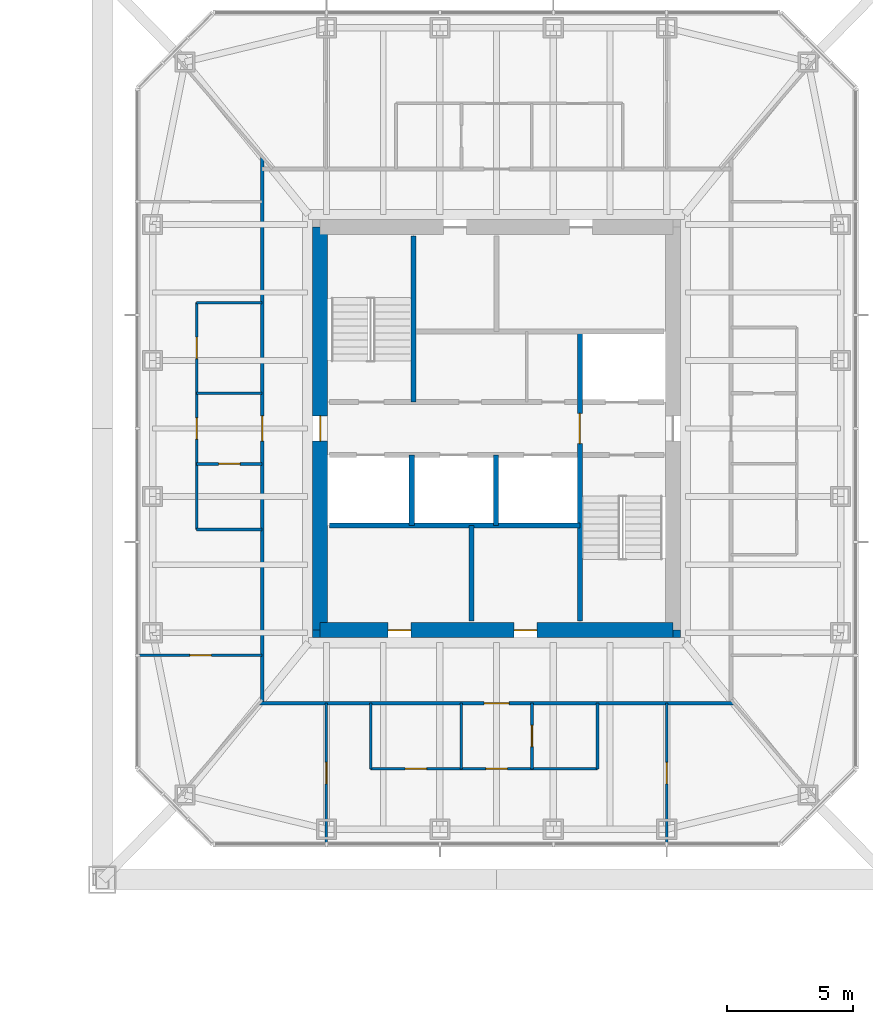
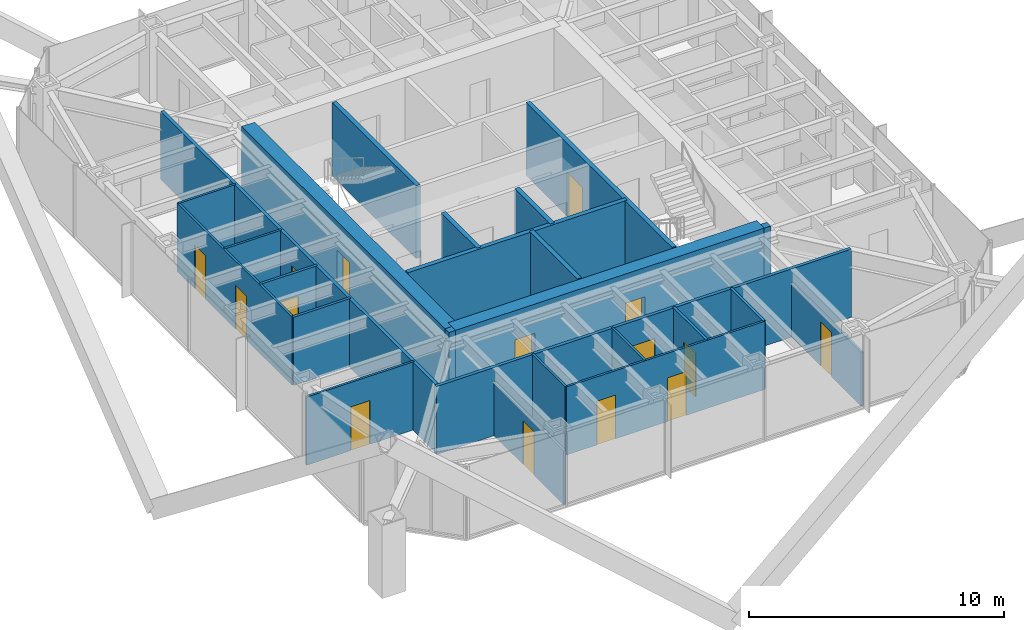
# One storey, part 15 of 23: 25 walls, 15 doors, 15 openings.
"""IFC4 building model written with IfcOpenShell, lengths in metres."""

from ifc_helpers import new_model, si_unit, direction, frame, frame_2d, origin, place, context, subcontext, project, spatial, rectangle, extrude, material, layer, layer_set, type_object, element, fill, save


model = new_model("IFC4")

# Units and contexts
model_context = context("Model", 3, precision=1e-05, world=origin(), true_north=direction((0.0, 1.0)))
body_context = subcontext(model_context, "Body", "Model", "MODEL_VIEW")
ifc_project = project(units=[si_unit("LENGTHUNIT", "METRE"), si_unit("AREAUNIT", "SQUARE_METRE"), si_unit("VOLUMEUNIT", "CUBIC_METRE"), si_unit("PLANEANGLEUNIT", "RADIAN"), si_unit("MASSUNIT", "GRAM", prefix="KILO")], contexts=[model_context])

# Site, building, storey
site_placement = place(None, origin())
site = spatial("IfcSite", under=ifc_project, at=site_placement, CompositionType="ELEMENT")
building_placement = place(site_placement, origin())
building = spatial("IfcBuilding", under=site, at=building_placement, Name="Iwan Alto Co-Living Towers", CompositionType="ELEMENT")
storey_placement = place(building_placement, frame((0.0, 0.0, 122.5)))
storey = spatial("IfcBuildingStorey", under=building, at=storey_placement, Name="L33", CompositionType="ELEMENT", Elevation=122.5)

# Wall, opening, door
ifc_material_1 = material(Name="Gypsum board")
ifc_layer_1 = layer(ifc_material_1, 0.02490234375, Name="Board", Category="Finish")
ifc_material_2 = material(Name="Steel ASTM A1003 ST33H cold-formed studs", Category="steel")
ifc_layer_2 = layer(ifc_material_2, 0.10009765625, Name="Studs", Category="Framing")
ifc_layer_3 = layer(ifc_material_1, 0.02490234375, Name="Board", Category="Finish")
ifc_layer_set_1 = layer_set([ifc_layer_1, ifc_layer_2, ifc_layer_3], Name="CORRIDOR WALL 150")
wall_type_1 = type_object("IfcWallType", Name="CORRIDOR WALL 150", PredefinedType="PARTITIONING", material=ifc_layer_set_1)
wall_1_placement = place(storey_placement, frame((53.5859375, -10.89990234375, 0.0), z_axis=(0.0, 0.0, 1.0), x_axis=(1.0, 0.0, 0.0)))
wall_1 = element("IfcWall", 1, at=wall_1_placement, inside=storey, type_object=wall_type_1, Name="Partition L33", PredefinedType="PARTITIONING", context=body_context, shape_type="SweptSolid", body=[
    extrude(rectangle(XDim=18.828125, YDim=0.14990234375, at=frame_2d((9.4140625, 0.0))), origin(), (0.0, 0.0, 1.0), 3.27001953125),
])
opening_1_placement = place(wall_1_placement, frame((8.9140625, 0.0, 0.0)))
opening_1 = element("IfcOpeningElement", 2, at=opening_1_placement, cuts=wall_1, Name="Opening D3", PredefinedType="OPENING", context=body_context, shape_type="SweptSolid", body=[
    extrude(rectangle(XDim=1.0, YDim=2.10009765625, at=frame_2d((0.5, 1.050048828125))), frame((0.0, 0.0849609375, 0.0), z_axis=(0.0, -1.0, 0.0), x_axis=(1.0, 0.0, 0.0)), (0.0, 0.0, 1.0), 0.169921875),
])
ifc_material_3 = material(Name="Steel frame with timber leaf", Category="steel")
door_type_1 = type_object("IfcDoorType", Name="FLAT ENTRANCE DOOR FD30S 1000X2100", OperationType="SINGLE_SWING_LEFT", PredefinedType="DOOR", material=ifc_material_3)
door_1_placement = place(opening_1_placement, frame((1.0, 0.0, 0.0), z_axis=(0.0, 0.0, 1.0), x_axis=(-1.0, 0.0, 0.0)))
door_1 = element("IfcDoor", 3, at=door_1_placement, inside=storey, type_object=door_type_1, Name="Apartment foyer door L33", OperationType="SINGLE_SWING_RIGHT", OverallHeight=2.10009765625, OverallWidth=1.0, PredefinedType="DOOR", context=body_context, shape_type="SweptSolid", body=[
    extrude(rectangle(XDim=1.0, YDim=2.10009765625, at=frame_2d((0.5, 1.050048828125))), frame((0.0, 0.02490234375, 0.0), z_axis=(0.0, -1.0, 0.0), x_axis=(1.0, 0.0, 0.0)), (0.0, 0.0, 1.0), 0.050048828125),
])
fill(opening_1, door_1)

wall_2_placement = place(storey_placement, frame((53.699951171875, -10.89990234375, 0.0), z_axis=(0.0, 0.0, 1.0), x_axis=(0.0, 1.0, 0.0)))
wall_2 = element("IfcWall", 4, at=wall_2_placement, inside=storey, type_object=wall_type_1, Name="Partition L33", PredefinedType="PARTITIONING", context=body_context, shape_type="SweptSolid", body=[
    extrude(rectangle(XDim=21.66796875, YDim=0.14990234375, at=frame_2d((10.833984375, 0.0))), origin(), (0.0, 0.0, 1.0), 3.27001953125),
])
opening_2_placement = place(wall_2_placement, frame((10.39990234375, 0.0, 0.0)))
opening_2 = element("IfcOpeningElement", 5, at=opening_2_placement, cuts=wall_2, Name="Opening D3", PredefinedType="OPENING", context=body_context, shape_type="SweptSolid", body=[
    extrude(rectangle(XDim=1.0, YDim=2.10009765625, at=frame_2d((0.5, 1.050048828125))), frame((0.0, 0.0849609375, 0.0), z_axis=(0.0, -1.0, 0.0), x_axis=(1.0, 0.0, 0.0)), (0.0, 0.0, 1.0), 0.169921875),
])
door_2_placement = place(opening_2_placement, origin())
door_2 = element("IfcDoor", 6, at=door_2_placement, inside=storey, type_object=door_type_1, Name="Apartment foyer door L33", OperationType="SINGLE_SWING_LEFT", OverallHeight=2.10009765625, OverallWidth=1.0, PredefinedType="DOOR", context=body_context, shape_type="SweptSolid", body=[
    extrude(rectangle(XDim=1.0, YDim=2.10009765625, at=frame_2d((0.5, 1.050048828125))), frame((0.0, 0.02490234375, 0.0), z_axis=(0.0, -1.0, 0.0), x_axis=(1.0, 0.0, 0.0)), (0.0, 0.0, 1.0), 0.050048828125),
])
fill(opening_2, door_2)

# Wall, openings, doors
ifc_layer_4 = layer(ifc_material_1, 0.012451171875, Name="Board", Category="Finish")
ifc_layer_5 = layer(ifc_material_2, 0.074951171875, Name="Studs", Category="Framing")
ifc_layer_6 = layer(ifc_material_1, 0.012451171875, Name="Board", Category="Finish")
ifc_layer_set_2 = layer_set([ifc_layer_4, ifc_layer_5, ifc_layer_6], Name="PARTITION 100")
wall_type_2 = type_object("IfcWallType", Name="PARTITION 100", PredefinedType="PARTITIONING", material=ifc_layer_set_2)
wall_3_placement = place(storey_placement, frame((58.0, -13.5, 0.0), z_axis=(0.0, 0.0, 1.0), x_axis=(1.0, 0.0, 0.0)))
wall_3 = element("IfcWall", 7, at=wall_3_placement, inside=storey, type_object=wall_type_2, Name="Partition L33", PredefinedType="PARTITIONING", context=body_context, shape_type="SweptSolid", body=[
    extrude(rectangle(XDim=9.0, YDim=0.10009765625, at=frame_2d((4.5, 0.0))), origin(), (0.0, 0.0, 1.0), 3.27001953125),
])
opening_3_placement = place(wall_3_placement, frame((1.375, 0.0, 0.0)))
opening_3 = element("IfcOpeningElement", 8, at=opening_3_placement, cuts=wall_3, Name="Opening D2", PredefinedType="OPENING", context=body_context, shape_type="SweptSolid", body=[
    extrude(rectangle(XDim=0.85009765625, YDim=2.10009765625, at=frame_2d((0.425048828125, 1.050048828125))), frame((0.0, 0.06005859375, 0.0), z_axis=(0.0, -1.0, 0.0), x_axis=(1.0, 0.0, 0.0)), (0.0, 0.0, 1.0), 0.1201171875),
])
opening_4_placement = place(wall_3_placement, frame((4.574951171875, 0.0, 0.0)))
opening_4 = element("IfcOpeningElement", 9, at=opening_4_placement, cuts=wall_3, Name="Opening D2", PredefinedType="OPENING", context=body_context, shape_type="SweptSolid", body=[
    extrude(rectangle(XDim=0.85009765625, YDim=2.10009765625, at=frame_2d((0.425048828125, 1.050048828125))), frame((0.0, 0.06005859375, 0.0), z_axis=(0.0, -1.0, 0.0), x_axis=(1.0, 0.0, 0.0)), (0.0, 0.0, 1.0), 0.1201171875),
])
ifc_material_4 = material(Name="Timber leaf in steel frame", Category="steel")
door_type_2 = type_object("IfcDoorType", Name="ROOM DOOR 850X2100", OperationType="SINGLE_SWING_LEFT", PredefinedType="DOOR", material=ifc_material_4)
door_3_placement = place(opening_3_placement, frame((0.85009765625, 0.0, 0.0), z_axis=(0.0, 0.0, 1.0), x_axis=(-1.0, 0.0, 0.0)))
door_3 = element("IfcDoor", 10, at=door_3_placement, inside=storey, type_object=door_type_2, Name="Kitchen door L33", OperationType="SINGLE_SWING_RIGHT", OverallHeight=2.10009765625, OverallWidth=0.85009765625, PredefinedType="DOOR", context=body_context, shape_type="SweptSolid", body=[
    extrude(rectangle(XDim=0.85009765625, YDim=2.10009765625, at=frame_2d((0.425048828125, 1.050048828125))), frame((0.0, 0.02490234375, 0.0), z_axis=(0.0, -1.0, 0.0), x_axis=(1.0, 0.0, 0.0)), (0.0, 0.0, 1.0), 0.050048828125),
])
fill(opening_3, door_3)
door_4_placement = place(opening_4_placement, frame((0.85009765625, 0.0, 0.0), z_axis=(0.0, 0.0, 1.0), x_axis=(-1.0, 0.0, 0.0)))
door_4 = element("IfcDoor", 11, at=door_4_placement, inside=storey, type_object=door_type_2, Name="Apartment foyer door L33", OperationType="SINGLE_SWING_RIGHT", OverallHeight=2.10009765625, OverallWidth=0.85009765625, PredefinedType="DOOR", context=body_context, shape_type="SweptSolid", body=[
    extrude(rectangle(XDim=0.85009765625, YDim=2.10009765625, at=frame_2d((0.425048828125, 1.050048828125))), frame((0.0, 0.02490234375, 0.0), z_axis=(0.0, -1.0, 0.0), x_axis=(1.0, 0.0, 0.0)), (0.0, 0.0, 1.0), 0.050048828125),
])
fill(opening_4, door_4)

# Wall, opening, door
wall_4_placement = place(storey_placement, frame((48.81005859375, -9.0, 0.0), z_axis=(0.0, 0.0, 1.0), x_axis=(1.0, 0.0, 0.0)))
wall_4 = element("IfcWall", 12, at=wall_4_placement, inside=storey, type_object=wall_type_2, Name="Partition L33", PredefinedType="PARTITIONING", context=body_context, shape_type="SweptSolid", body=[
    extrude(rectangle(XDim=4.889892578125, YDim=0.10009765625, at=frame_2d((2.44482421875, 0.0))), origin(), (0.0, 0.0, 1.0), 3.27001953125),
])
opening_5_placement = place(wall_4_placement, frame((2.02001953125, 0.0, 0.0)))
opening_5 = element("IfcOpeningElement", 13, at=opening_5_placement, cuts=wall_4, Name="Opening D2", PredefinedType="OPENING", context=body_context, shape_type="SweptSolid", body=[
    extrude(rectangle(XDim=0.85009765625, YDim=2.10009765625, at=frame_2d((0.425048828125, 1.050048828125))), frame((0.0, 0.06005859375, 0.0), z_axis=(0.0, -1.0, 0.0), x_axis=(1.0, 0.0, 0.0)), (0.0, 0.0, 1.0), 0.1201171875),
])
door_5_placement = place(opening_5_placement, origin())
door_5 = element("IfcDoor", 14, at=door_5_placement, inside=storey, type_object=door_type_2, Name="Study door L33", OperationType="SINGLE_SWING_RIGHT", OverallHeight=2.10009765625, OverallWidth=0.85009765625, PredefinedType="DOOR", context=body_context, shape_type="SweptSolid", body=[
    extrude(rectangle(XDim=0.85009765625, YDim=2.10009765625, at=frame_2d((0.425048828125, 1.050048828125))), frame((0.0, 0.02490234375, 0.0), z_axis=(0.0, -1.0, 0.0), x_axis=(1.0, 0.0, 0.0)), (0.0, 0.0, 1.0), 0.050048828125),
])
fill(opening_5, door_5)

# Walls
for number, where, z_axis, x_axis, name in (
    (15, (51.10009765625, 1.39990234375, 0.0), (0.0, 0.0, 1.0), (1.0, 0.0, 0.0), "Partition L33"),
    (16, (51.10009765625, 5.0, 0.0), (0.0, 0.0, 1.0), (1.0, 0.0, 0.0), "Partition L33"),
):
    element("IfcWall", number, at=place(storey_placement, frame(where, z_axis=z_axis, x_axis=x_axis)), inside=storey, type_object=wall_type_2, Name=name, PredefinedType="PARTITIONING", context=body_context, shape_type="SweptSolid", body=[
        extrude(rectangle(XDim=2.599853515625, YDim=0.10009765625, at=frame_2d((1.2998046875, 0.0))), origin(), (0.0, 0.0, 1.0), 3.27001953125),
    ])

# Wall, opening, door
wall_5_placement = place(storey_placement, frame((69.75, -16.43994140625, 0.0), z_axis=(0.0, 0.0, 1.0), x_axis=(0.0, 1.0, 0.0)))
wall_5 = element("IfcWall", 17, at=wall_5_placement, inside=storey, type_object=wall_type_2, Name="Partition L33", PredefinedType="PARTITIONING", context=body_context, shape_type="SweptSolid", body=[
    extrude(rectangle(XDim=5.5400390625, YDim=0.10009765625, at=frame_2d((2.77001953125, 0.0))), origin(), (0.0, 0.0, 1.0), 2.586669921875),
])
opening_6_placement = place(wall_5_placement, frame((2.344970703125, 0.0, 0.0)))
opening_6 = element("IfcOpeningElement", 18, at=opening_6_placement, cuts=wall_5, Name="Opening D2", PredefinedType="OPENING", context=body_context, shape_type="SweptSolid", body=[
    extrude(rectangle(XDim=0.85009765625, YDim=2.10009765625, at=frame_2d((0.425048828125, 1.050048828125))), frame((0.0, 0.06005859375, 0.0), z_axis=(0.0, -1.0, 0.0), x_axis=(1.0, 0.0, 0.0)), (0.0, 0.0, 1.0), 0.1201171875),
])
door_6_placement = place(opening_6_placement, origin())
door_6 = element("IfcDoor", 19, at=door_6_placement, inside=storey, type_object=door_type_2, Name="Bedroom door L33", OperationType="SINGLE_SWING_RIGHT", OverallHeight=2.10009765625, OverallWidth=0.85009765625, PredefinedType="DOOR", context=body_context, shape_type="SweptSolid", body=[
    extrude(rectangle(XDim=0.85009765625, YDim=2.10009765625, at=frame_2d((0.425048828125, 1.050048828125))), frame((0.0, 0.02490234375, 0.0), z_axis=(0.0, -1.0, 0.0), x_axis=(1.0, 0.0, 0.0)), (0.0, 0.0, 1.0), 0.050048828125),
])
fill(opening_6, door_6)

# Walls
for number, where, z_axis, x_axis, name in (
    (20, (61.60009765625, -13.5, 0.0), (0.0, 0.0, 1.0), (0.0, 1.0, 0.0), "Partition L33"),
    (21, (58.0, -13.5, 0.0), (0.0, 0.0, 1.0), (0.0, 1.0, 0.0), "Partition L33"),
):
    element("IfcWall", number, at=place(storey_placement, frame(where, z_axis=z_axis, x_axis=x_axis)), inside=storey, type_object=wall_type_2, Name=name, PredefinedType="PARTITIONING", context=body_context, shape_type="SweptSolid", body=[
        extrude(rectangle(XDim=2.60009765625, YDim=0.10009765625, at=frame_2d((1.300048828125, 0.0))), origin(), (0.0, 0.0, 1.0), 3.27001953125),
    ])

# Wall, opening, door
wall_6_placement = place(storey_placement, frame((56.25, -16.43994140625, 0.0), z_axis=(0.0, 0.0, 1.0), x_axis=(0.0, 1.0, 0.0)))
wall_6 = element("IfcWall", 22, at=wall_6_placement, inside=storey, type_object=wall_type_2, Name="Partition L33", PredefinedType="PARTITIONING", context=body_context, shape_type="SweptSolid", body=[
    extrude(rectangle(XDim=5.5400390625, YDim=0.10009765625, at=frame_2d((2.77001953125, 0.0))), origin(), (0.0, 0.0, 1.0), 2.586669921875),
])
opening_7_placement = place(wall_6_placement, frame((2.344970703125, 0.0, 0.0)))
opening_7 = element("IfcOpeningElement", 23, at=opening_7_placement, cuts=wall_6, Name="Opening D2", PredefinedType="OPENING", context=body_context, shape_type="SweptSolid", body=[
    extrude(rectangle(XDim=0.85009765625, YDim=2.10009765625, at=frame_2d((0.425048828125, 1.050048828125))), frame((0.0, 0.06005859375, 0.0), z_axis=(0.0, -1.0, 0.0), x_axis=(1.0, 0.0, 0.0)), (0.0, 0.0, 1.0), 0.1201171875),
])
door_7_placement = place(opening_7_placement, frame((0.85009765625, 0.0, 0.0), z_axis=(0.0, 0.0, 1.0), x_axis=(-1.0, 0.0, 0.0)))
door_7 = element("IfcDoor", 24, at=door_7_placement, inside=storey, type_object=door_type_2, Name="Family room door L33", OperationType="SINGLE_SWING_LEFT", OverallHeight=2.10009765625, OverallWidth=0.85009765625, PredefinedType="DOOR", context=body_context, shape_type="SweptSolid", body=[
    extrude(rectangle(XDim=0.85009765625, YDim=2.10009765625, at=frame_2d((0.425048828125, 1.050048828125))), frame((0.0, 0.02490234375, 0.0), z_axis=(0.0, -1.0, 0.0), x_axis=(1.0, 0.0, 0.0)), (0.0, 0.0, 1.0), 0.050048828125),
])
fill(opening_7, door_7)

# Wall, openings, doors
wall_7_placement = place(storey_placement, frame((51.10009765625, -4.0, 0.0), z_axis=(0.0, 0.0, 1.0), x_axis=(0.0, 1.0, 0.0)))
wall_7 = element("IfcWall", 25, at=wall_7_placement, inside=storey, type_object=wall_type_2, Name="Partition L33", PredefinedType="PARTITIONING", context=body_context, shape_type="SweptSolid", body=[
    extrude(rectangle(XDim=9.0, YDim=0.10009765625, at=frame_2d((4.5, 0.0))), origin(), (0.0, 0.0, 1.0), 3.27001953125),
])
opening_8_placement = place(wall_7_placement, frame((6.77490234375, 0.0, 0.0)))
opening_8 = element("IfcOpeningElement", 26, at=opening_8_placement, cuts=wall_7, Name="Opening D2", PredefinedType="OPENING", context=body_context, shape_type="SweptSolid", body=[
    extrude(rectangle(XDim=0.85009765625, YDim=2.10009765625, at=frame_2d((0.425048828125, 1.050048828125))), frame((0.0, 0.06005859375, 0.0), z_axis=(0.0, -1.0, 0.0), x_axis=(1.0, 0.0, 0.0)), (0.0, 0.0, 1.0), 0.1201171875),
])
opening_9_placement = place(wall_7_placement, frame((3.574951171875, 0.0, 0.0)))
opening_9 = element("IfcOpeningElement", 27, at=opening_9_placement, cuts=wall_7, Name="Opening D2", PredefinedType="OPENING", context=body_context, shape_type="SweptSolid", body=[
    extrude(rectangle(XDim=0.85009765625, YDim=2.10009765625, at=frame_2d((0.425048828125, 1.050048828125))), frame((0.0, 0.06005859375, 0.0), z_axis=(0.0, -1.0, 0.0), x_axis=(1.0, 0.0, 0.0)), (0.0, 0.0, 1.0), 0.1201171875),
])
door_8_placement = place(opening_8_placement, origin())
door_8 = element("IfcDoor", 28, at=door_8_placement, inside=storey, type_object=door_type_2, Name="Kitchen door L33", OperationType="SINGLE_SWING_RIGHT", OverallHeight=2.10009765625, OverallWidth=0.85009765625, PredefinedType="DOOR", context=body_context, shape_type="SweptSolid", body=[
    extrude(rectangle(XDim=0.85009765625, YDim=2.10009765625, at=frame_2d((0.425048828125, 1.050048828125))), frame((0.0, 0.02490234375, 0.0), z_axis=(0.0, -1.0, 0.0), x_axis=(1.0, 0.0, 0.0)), (0.0, 0.0, 1.0), 0.050048828125),
])
fill(opening_8, door_8)
door_9_placement = place(opening_9_placement, origin())
door_9 = element("IfcDoor", 29, at=door_9_placement, inside=storey, type_object=door_type_2, Name="Apartment foyer door L33", OperationType="SINGLE_SWING_LEFT", OverallHeight=2.10009765625, OverallWidth=0.85009765625, PredefinedType="DOOR", context=body_context, shape_type="SweptSolid", body=[
    extrude(rectangle(XDim=0.85009765625, YDim=2.10009765625, at=frame_2d((0.425048828125, 1.050048828125))), frame((0.0, 0.02490234375, 0.0), z_axis=(0.0, -1.0, 0.0), x_axis=(1.0, 0.0, 0.0)), (0.0, 0.0, 1.0), 0.050048828125),
])
fill(opening_9, door_9)

# Wall
ifc_material_5 = material(Name="Concrete f'c 70 MPa", Category="concrete")
ifc_layer_7 = layer(ifc_material_5, 0.199951171875)
ifc_layer_set_3 = layer_set([ifc_layer_7], Name="SHAFT WALL 200")
wall_type_3 = type_object("IfcWallType", Name="SHAFT WALL 200", PredefinedType="SOLIDWALL", material=ifc_layer_set_3)
wall_8_placement = place(storey_placement, frame((56.360107421875, -3.85009765625, 0.0), z_axis=(0.0, 0.0, 1.0), x_axis=(1.0, 0.0, 0.0)))
element("IfcWall", 30, at=wall_8_placement, inside=storey, type_object=wall_type_3, Name="Shaft wall L33", PredefinedType="SOLIDWALL", context=body_context, shape_type="SweptSolid", body=[
    extrude(rectangle(XDim=9.93994140625, YDim=0.199951171875, at=frame_2d((4.969970703125, 0.0))), origin(), (0.0, 0.0, 1.0), 3.5),
])

# Wall, opening, door
wall_9_placement = place(storey_placement, frame((66.300048828125, -7.639892578125, 0.0), z_axis=(0.0, 0.0, 1.0), x_axis=(0.0, 1.0, 0.0)))
wall_9 = element("IfcWall", 31, at=wall_9_placement, inside=storey, type_object=wall_type_3, Name="Shaft wall L33", PredefinedType="SOLIDWALL", context=body_context, shape_type="SweptSolid", body=[
    extrude(rectangle(XDim=11.489990234375, YDim=0.199951171875, at=frame_2d((5.7451171875, 0.0))), origin(), (0.0, 0.0, 1.0), 3.5),
])
opening_10_placement = place(wall_9_placement, frame((7.0400390625, 0.0, 0.0)))
opening_10 = element("IfcOpeningElement", 32, at=opening_10_placement, cuts=wall_9, Name="Opening D6", PredefinedType="OPENING", context=body_context, shape_type="SweptSolid", body=[
    extrude(rectangle(XDim=1.199951171875, YDim=2.10009765625, at=frame_2d((0.60009765625, 1.050048828125))), frame((0.0, 0.10986328125, 0.0), z_axis=(0.0, -1.0, 0.0), x_axis=(1.0, 0.0, 0.0)), (0.0, 0.0, 1.0), 0.219970703125),
])
ifc_material_6 = material(Name="Steel frame with timber leaf", Category="steel")
door_type_3 = type_object("IfcDoorType", Name="LOBBY DOOR FD120S 1200X2100", OperationType="SINGLE_SWING_LEFT", PredefinedType="DOOR", material=ifc_material_6)
door_10_placement = place(opening_10_placement, frame((1.199951171875, 0.0, 0.0), z_axis=(0.0, 0.0, 1.0), x_axis=(-1.0, 0.0, 0.0)))
door_10 = element("IfcDoor", 33, at=door_10_placement, inside=storey, type_object=door_type_3, Name="Firefighting lobby door L33", OperationType="SINGLE_SWING_RIGHT", OverallHeight=2.10009765625, OverallWidth=1.199951171875, PredefinedType="DOOR", context=body_context, shape_type="SweptSolid", body=[
    extrude(rectangle(XDim=1.199951171875, YDim=2.10009765625, at=frame_2d((0.60009765625, 1.050048828125))), frame((0.0, 0.02490234375, 0.0), z_axis=(0.0, -1.0, 0.0), x_axis=(1.0, 0.0, 0.0)), (0.0, 0.0, 1.0), 0.050048828125),
])
fill(opening_10, door_10)

# Walls
wall_10_placement = place(storey_placement, frame((62.967041015625, -3.85009765625, 0.0), z_axis=(0.0, 0.0, 1.0), x_axis=(0.0, 1.0, 0.0)))
element("IfcWall", 34, at=wall_10_placement, inside=storey, type_object=wall_type_3, Name="Shaft wall L33", PredefinedType="SOLIDWALL", context=body_context, shape_type="SweptSolid", body=[
    extrude(rectangle(XDim=2.800048828125, YDim=0.199951171875, at=frame_2d((1.39990234375, 0.0))), origin(), (0.0, 0.0, 1.0), 3.5),
])
wall_11_placement = place(storey_placement, frame((62.0, -7.639892578125, 0.0), z_axis=(0.0, 0.0, 1.0), x_axis=(0.0, 1.0, 0.0)))
element("IfcWall", 35, at=wall_11_placement, inside=storey, type_object=wall_type_3, Name="Shaft wall L33", PredefinedType="SOLIDWALL", context=body_context, shape_type="SweptSolid", body=[
    extrude(rectangle(XDim=3.789794921875, YDim=0.199951171875, at=frame_2d((1.89501953125, 0.0))), origin(), (0.0, 0.0, 1.0), 3.5),
])
wall_12_placement = place(storey_placement, frame((59.699951171875, 1.050048828125, 0.0), z_axis=(0.0, 0.0, 1.0), x_axis=(0.0, 1.0, 0.0)))
element("IfcWall", 36, at=wall_12_placement, inside=storey, type_object=wall_type_3, Name="Shaft wall L33", PredefinedType="SOLIDWALL", context=body_context, shape_type="SweptSolid", body=[
    extrude(rectangle(XDim=6.58984375, YDim=0.199951171875, at=frame_2d((3.294921875, 0.0))), origin(), (0.0, 0.0, 1.0), 3.5),
])
wall_13_placement = place(storey_placement, frame((59.633056640625, -3.85009765625, 0.0), z_axis=(0.0, 0.0, 1.0), x_axis=(0.0, 1.0, 0.0)))
element("IfcWall", 37, at=wall_13_placement, inside=storey, type_object=wall_type_3, Name="Shaft wall L33", PredefinedType="SOLIDWALL", context=body_context, shape_type="SweptSolid", body=[
    extrude(rectangle(XDim=2.800048828125, YDim=0.199951171875, at=frame_2d((1.39990234375, 0.0))), origin(), (0.0, 0.0, 1.0), 3.5),
])
ifc_material_7 = material(Name="Concrete f'c 70 MPa", Category="concrete")
ifc_layer_8 = layer(ifc_material_7, 0.300048828125)
ifc_layer_set_4 = layer_set([ifc_layer_8], Name="T2 CORE CORNER FILL 300")
wall_type_4 = type_object("IfcWallType", Name="T2 CORE CORNER FILL 300", PredefinedType="SOLIDWALL", material=ifc_layer_set_4)
for number, where, z_axis, x_axis, name in (
    (38, (55.699951171875, -8.14990234375, 0.0), (0.0, 0.0, 1.0), (1.0, 0.0, 0.0), "T2 core corner SW L33"),
    (39, (70.0, -8.14990234375, 0.0), (0.0, 0.0, 1.0), (1.0, 0.0, 0.0), "T2 core corner SE L33"),
):
    element("IfcWall", number, at=place(storey_placement, frame(where, z_axis=z_axis, x_axis=x_axis)), inside=storey, type_object=wall_type_4, Name=name, PredefinedType="SOLIDWALL", context=body_context, shape_type="SweptSolid", body=[
        extrude(rectangle(XDim=0.300048828125, YDim=0.300048828125, at=frame_2d((0.14990234375, 0.0))), origin(), (0.0, 0.0, 1.0), 3.5),
    ])

# Wall, openings, doors
ifc_material_8 = material(Name="Concrete f'c 70 MPa", Category="concrete")
ifc_layer_9 = layer(ifc_material_8, 0.60009765625)
ifc_layer_set_5 = layer_set([ifc_layer_9], Name="T2 CORE WALL 600")
wall_type_5 = type_object("IfcWallType", Name="T2 CORE WALL 600", PredefinedType="SHEAR", material=ifc_layer_set_5)
wall_14_placement = place(storey_placement, frame((56.0, -8.0, 0.0), z_axis=(0.0, 0.0, 1.0), x_axis=(1.0, 0.0, 0.0)))
wall_14 = element("IfcWall", 40, at=wall_14_placement, inside=storey, type_object=wall_type_5, Name="T2 core wall S L33", PredefinedType="SHEAR", context=body_context, shape_type="SweptSolid", body=[
    extrude(rectangle(XDim=14.0, YDim=0.60009765625, at=frame_2d((7.0, 0.0))), origin(), (0.0, 0.0, 1.0), 3.5),
])
opening_11_placement = place(wall_14_placement, frame((2.699951171875, 0.0, 0.0)))
opening_11 = element("IfcOpeningElement", 41, at=opening_11_placement, cuts=wall_14, Name="Opening D8", PredefinedType="OPENING", context=body_context, shape_type="SweptSolid", body=[
    extrude(rectangle(XDim=0.89990234375, YDim=2.10009765625, at=frame_2d((0.449951171875, 1.050048828125))), frame((0.0, 0.31005859375, 0.0), z_axis=(0.0, -1.0, 0.0), x_axis=(1.0, 0.0, 0.0)), (0.0, 0.0, 1.0), 0.6201171875),
])
opening_12_placement = place(wall_14_placement, frame((7.699951171875, 0.0, 0.0)))
opening_12 = element("IfcOpeningElement", 42, at=opening_12_placement, cuts=wall_14, Name="Opening D8", PredefinedType="OPENING", context=body_context, shape_type="SweptSolid", body=[
    extrude(rectangle(XDim=0.89990234375, YDim=2.10009765625, at=frame_2d((0.449951171875, 1.050048828125))), frame((0.0, 0.31005859375, 0.0), z_axis=(0.0, -1.0, 0.0), x_axis=(1.0, 0.0, 0.0)), (0.0, 0.0, 1.0), 0.6201171875),
])
ifc_material_9 = material(Name="Steel frame with timber leaf", Category="steel")
door_type_4 = type_object("IfcDoorType", Name="RISER DOOR FD120 900X2100", OperationType="SINGLE_SWING_LEFT", PredefinedType="DOOR", material=ifc_material_9)
door_11_placement = place(opening_11_placement, origin())
door_11 = element("IfcDoor", 43, at=door_11_placement, inside=storey, type_object=door_type_4, Name="Refuse room core door L33", OperationType="SINGLE_SWING_LEFT", OverallHeight=2.10009765625, OverallWidth=0.89990234375, PredefinedType="DOOR", context=body_context, shape_type="SweptSolid", body=[
    extrude(rectangle(XDim=0.89990234375, YDim=2.10009765625, at=frame_2d((0.449951171875, 1.050048828125))), frame((0.0, 0.02490234375, 0.0), z_axis=(0.0, -1.0, 0.0), x_axis=(1.0, 0.0, 0.0)), (0.0, 0.0, 1.0), 0.050048828125),
])
fill(opening_11, door_11)
door_12_placement = place(opening_12_placement, origin())
door_12 = element("IfcDoor", 44, at=door_12_placement, inside=storey, type_object=door_type_4, Name="Telecom riser core door L33", OperationType="SINGLE_SWING_LEFT", OverallHeight=2.10009765625, OverallWidth=0.89990234375, PredefinedType="DOOR", context=body_context, shape_type="SweptSolid", body=[
    extrude(rectangle(XDim=0.89990234375, YDim=2.10009765625, at=frame_2d((0.449951171875, 1.050048828125))), frame((0.0, 0.02490234375, 0.0), z_axis=(0.0, -1.0, 0.0), x_axis=(1.0, 0.0, 0.0)), (0.0, 0.0, 1.0), 0.050048828125),
])
fill(opening_12, door_12)

# Wall, opening, door
wall_15_placement = place(storey_placement, frame((56.0, 8.0, 0.0), z_axis=(0.0, 0.0, 1.0), x_axis=(0.0, -1.0, 0.0)))
wall_15 = element("IfcWall", 45, at=wall_15_placement, inside=storey, type_object=wall_type_5, Name="T2 core wall W L33", PredefinedType="SHEAR", context=body_context, shape_type="SweptSolid", body=[
    extrude(rectangle(XDim=16.0, YDim=0.60009765625, at=frame_2d((8.0, 0.0))), origin(), (0.0, 0.0, 1.0), 3.5),
])
opening_13_placement = place(wall_15_placement, frame((7.5, 0.0, 0.0)))
opening_13 = element("IfcOpeningElement", 46, at=opening_13_placement, cuts=wall_15, Name="Opening D7", PredefinedType="OPENING", context=body_context, shape_type="SweptSolid", body=[
    extrude(rectangle(XDim=1.0, YDim=2.10009765625, at=frame_2d((0.5, 1.050048828125))), frame((0.0, 0.31005859375, 0.0), z_axis=(0.0, -1.0, 0.0), x_axis=(1.0, 0.0, 0.0)), (0.0, 0.0, 1.0), 0.6201171875),
])
ifc_material_10 = material(Name="Steel frame with timber leaf", Category="steel")
door_type_5 = type_object("IfcDoorType", Name="CORE DOOR FD120S 1000X2100", OperationType="SINGLE_SWING_LEFT", PredefinedType="DOOR", material=ifc_material_10)
door_13_placement = place(opening_13_placement, origin())
door_13 = element("IfcDoor", 47, at=door_13_placement, inside=storey, type_object=door_type_5, Name="Lift lobby core door L33", OperationType="SINGLE_SWING_RIGHT", OverallHeight=2.10009765625, OverallWidth=1.0, PredefinedType="DOOR", context=body_context, shape_type="SweptSolid", body=[
    extrude(rectangle(XDim=1.0, YDim=2.10009765625, at=frame_2d((0.5, 1.050048828125))), frame((0.0, 0.02490234375, 0.0), z_axis=(0.0, -1.0, 0.0), x_axis=(1.0, 0.0, 0.0)), (0.0, 0.0, 1.0), 0.050048828125),
])
fill(opening_13, door_13)

# Wall
ifc_material_11 = material(Name="Cement board")
ifc_layer_10 = layer(ifc_material_11, 0.012451171875, Name="Board", Category="Finish")
ifc_layer_11 = layer(ifc_material_2, 0.094970703125, Name="Studs", Category="Framing")
ifc_layer_12 = layer(ifc_material_11, 0.012451171875, Name="Board", Category="Finish")
ifc_layer_set_6 = layer_set([ifc_layer_10, ifc_layer_11, ifc_layer_12], Name="WET AREA PARTITION 120")
wall_type_6 = type_object("IfcWallType", Name="WET AREA PARTITION 120", PredefinedType="PARTITIONING", material=ifc_layer_set_6)
wall_16_placement = place(storey_placement, frame((51.10009765625, -4.0, 0.0), z_axis=(0.0, 0.0, 1.0), x_axis=(1.0, 0.0, 0.0)))
element("IfcWall", 48, at=wall_16_placement, inside=storey, type_object=wall_type_6, Name="Partition L33", PredefinedType="PARTITIONING", context=body_context, shape_type="SweptSolid", body=[
    extrude(rectangle(XDim=2.599853515625, YDim=0.1201171875, at=frame_2d((1.2998046875, 0.0))), origin(), (0.0, 0.0, 1.0), 3.27001953125),
])

# Wall, opening, door
wall_17_placement = place(storey_placement, frame((51.10009765625, -1.39990234375, 0.0), z_axis=(0.0, 0.0, 1.0), x_axis=(1.0, 0.0, 0.0)))
wall_17 = element("IfcWall", 49, at=wall_17_placement, inside=storey, type_object=wall_type_6, Name="Partition L33", PredefinedType="PARTITIONING", context=body_context, shape_type="SweptSolid", body=[
    extrude(rectangle(XDim=2.599853515625, YDim=0.1201171875, at=frame_2d((1.2998046875, 0.0))), origin(), (0.0, 0.0, 1.0), 3.27001953125),
])
opening_14_placement = place(wall_17_placement, frame((0.875, 0.0, 0.0)))
opening_14 = element("IfcOpeningElement", 50, at=opening_14_placement, cuts=wall_17, Name="Opening D2", PredefinedType="OPENING", context=body_context, shape_type="SweptSolid", body=[
    extrude(rectangle(XDim=0.85009765625, YDim=2.10009765625, at=frame_2d((0.425048828125, 1.050048828125))), frame((0.0, 0.070068359375, 0.0), z_axis=(0.0, -1.0, 0.0), x_axis=(1.0, 0.0, 0.0)), (0.0, 0.0, 1.0), 0.14013671875),
])
door_14_placement = place(opening_14_placement, frame((0.85009765625, 0.0, 0.0), z_axis=(0.0, 0.0, 1.0), x_axis=(-1.0, 0.0, 0.0)))
door_14 = element("IfcDoor", 51, at=door_14_placement, inside=storey, type_object=door_type_2, Name="Bathroom door L33", OperationType="SINGLE_SWING_RIGHT", OverallHeight=2.10009765625, OverallWidth=0.85009765625, PredefinedType="DOOR", context=body_context, shape_type="SweptSolid", body=[
    extrude(rectangle(XDim=0.85009765625, YDim=2.10009765625, at=frame_2d((0.425048828125, 1.050048828125))), frame((0.0, 0.02490234375, 0.0), z_axis=(0.0, -1.0, 0.0), x_axis=(1.0, 0.0, 0.0)), (0.0, 0.0, 1.0), 0.050048828125),
])
fill(opening_14, door_14)

# Wall
wall_18_placement = place(storey_placement, frame((67.0, -13.5, 0.0), z_axis=(0.0, 0.0, 1.0), x_axis=(0.0, 1.0, 0.0)))
element("IfcWall", 52, at=wall_18_placement, inside=storey, type_object=wall_type_6, Name="Partition L33", PredefinedType="PARTITIONING", context=body_context, shape_type="SweptSolid", body=[
    extrude(rectangle(XDim=2.60009765625, YDim=0.1201171875, at=frame_2d((1.300048828125, 0.0))), origin(), (0.0, 0.0, 1.0), 3.27001953125),
])

# Wall, opening, door
wall_19_placement = place(storey_placement, frame((64.39990234375, -13.5, 0.0), z_axis=(0.0, 0.0, 1.0), x_axis=(0.0, 1.0, 0.0)))
wall_19 = element("IfcWall", 53, at=wall_19_placement, inside=storey, type_object=wall_type_6, Name="Partition L33", PredefinedType="PARTITIONING", context=body_context, shape_type="SweptSolid", body=[
    extrude(rectangle(XDim=2.60009765625, YDim=0.1201171875, at=frame_2d((1.300048828125, 0.0))), origin(), (0.0, 0.0, 1.0), 3.27001953125),
])
opening_15_placement = place(wall_19_placement, frame((0.875, 0.0, 0.0)))
opening_15 = element("IfcOpeningElement", 54, at=opening_15_placement, cuts=wall_19, Name="Opening D2", PredefinedType="OPENING", context=body_context, shape_type="SweptSolid", body=[
    extrude(rectangle(XDim=0.85009765625, YDim=2.10009765625, at=frame_2d((0.425048828125, 1.050048828125))), frame((0.0, 0.070068359375, 0.0), z_axis=(0.0, -1.0, 0.0), x_axis=(1.0, 0.0, 0.0)), (0.0, 0.0, 1.0), 0.14013671875),
])
door_15_placement = place(opening_15_placement, frame((0.85009765625, 0.0, 0.0), z_axis=(0.0, 0.0, 1.0), x_axis=(-1.0, 0.0, 0.0)))
door_15 = element("IfcDoor", 55, at=door_15_placement, inside=storey, type_object=door_type_2, Name="Bathroom door L33", OperationType="SINGLE_SWING_RIGHT", OverallHeight=2.10009765625, OverallWidth=0.85009765625, PredefinedType="DOOR", context=body_context, shape_type="SweptSolid", body=[
    extrude(rectangle(XDim=0.85009765625, YDim=2.10009765625, at=frame_2d((0.425048828125, 1.050048828125))), frame((0.0, 0.02490234375, 0.0), z_axis=(0.0, -1.0, 0.0), x_axis=(1.0, 0.0, 0.0)), (0.0, 0.0, 1.0), 0.050048828125),
])
fill(opening_15, door_15)

save(model, "model.ifc")
